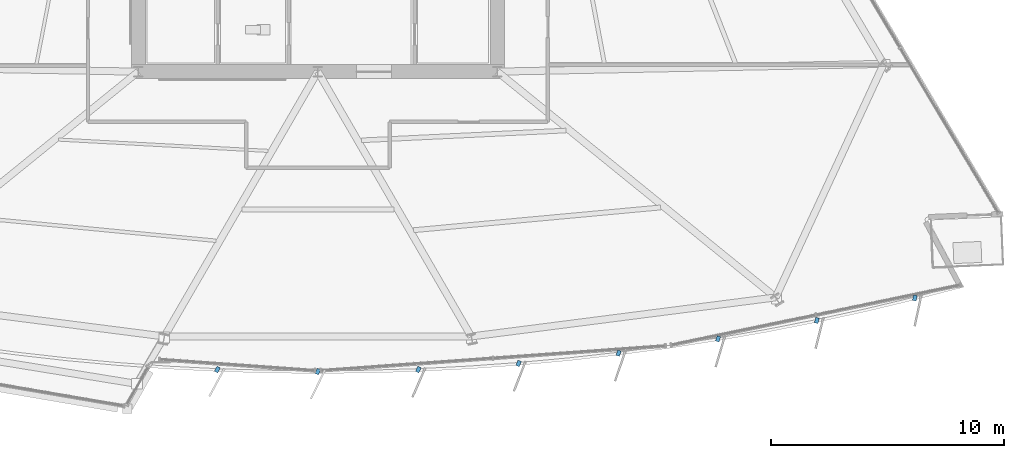
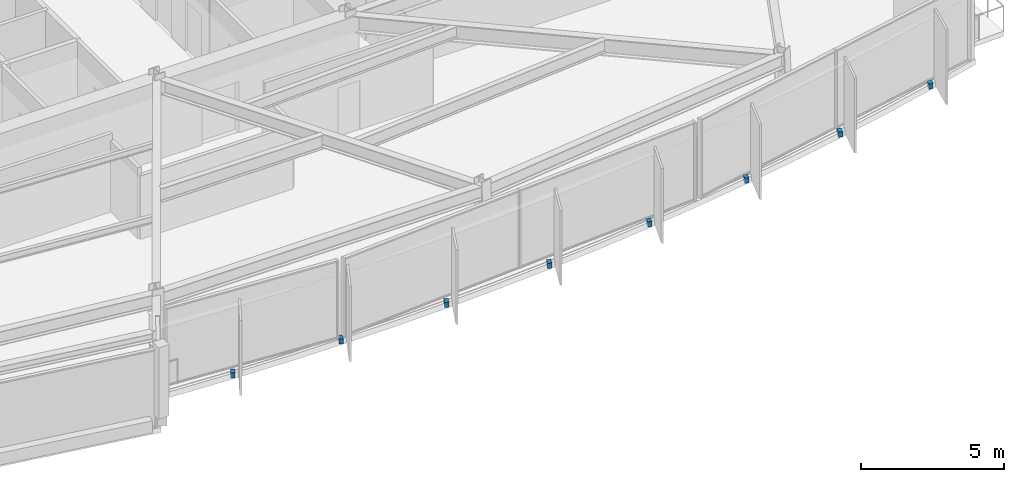
# One storey, part 12 of 17: 8 discrete accessories.
"""IFC4 building model written with IfcOpenShell, lengths in metres."""

from ifc_helpers import new_model, si_unit, direction, frame, origin, origin_2d, place, context, subcontext, project, spatial, rectangle, extrude, material, type_object, element, save


model = new_model("IFC4")

# Units and contexts
model_context = context("Model", 3, precision=1e-05, world=origin(), true_north=direction((0.0, 1.0)))
body_context = subcontext(model_context, "Body", "Model", "MODEL_VIEW")
ifc_project = project(units=[si_unit("LENGTHUNIT", "METRE"), si_unit("AREAUNIT", "SQUARE_METRE"), si_unit("VOLUMEUNIT", "CUBIC_METRE"), si_unit("PLANEANGLEUNIT", "RADIAN"), si_unit("MASSUNIT", "GRAM", prefix="KILO")], contexts=[model_context])

# Site, building, storey
site_placement = place(None, origin())
site = spatial("IfcSite", under=ifc_project, at=site_placement, CompositionType="ELEMENT")
building_placement = place(site_placement, origin())
building = spatial("IfcBuilding", under=site, at=building_placement, Name="Savorim Split Tower", CompositionType="ELEMENT")
storey_placement = place(building_placement, frame((0.0, 0.0, 58.800048828125)))
storey = spatial("IfcBuildingStorey", under=building, at=storey_placement, Name="L15", CompositionType="ELEMENT", Elevation=58.800048828125)

# Discrete accessories
ifc_material = material(Name="Steel S355", Category="steel")
discrete_accessory_type = type_object("IfcDiscreteAccessoryType", Name="ACC-BRK-FIN", PredefinedType="BRACKET", material=ifc_material)
for number, where, z_axis, x_axis, name in (
    (1, (-4.310546875, -22.18212890625, -0.18994140625), (0.0, 0.0, 1.0), (-0.474778051978, -0.880105562623, 0.0), "L15 Fin Slab-Edge Cleat Bracket 06"),
    (2, (0.0, -22.2705078125, -0.18994140625), (0.0, 0.0, 1.0), (-0.438371146789, -0.898794046299, 0.0), "L15 Fin Slab-Edge Cleat Bracket 07"),
    (3, (4.310546875, -22.18212890625, -0.18994140625), (0.0, 0.0, 1.0), (-0.401230091723, -0.915977299662, 0.0), "L15 Fin Slab-Edge Cleat Bracket 08"),
    (4, (8.614013671875, -21.917724609375, -0.18994140625), (0.0, 0.0, 1.0), (-0.363415461732, -0.931627179817, 0.0), "L15 Fin Slab-Edge Cleat Bracket 09"),
    (5, (12.903076171875, -21.477294921875, -0.18994140625), (0.0, 0.0, 1.0), (-0.324993810493, -0.945716143005, 0.0), "L15 Fin Slab-Edge Cleat Bracket 10"),
    (6, (17.17041015625, -20.86181640625, -0.18994140625), (0.0, 0.0, 1.0), (-0.286026212504, -0.958221793616, 0.0), "L15 Fin Slab-Edge Cleat Bracket 11"),
    (7, (21.408935546875, -20.072265625, -0.18994140625), (0.0, 0.0, 1.0), (-0.246581250663, -0.969122121727, 0.0), "L15 Fin Slab-Edge Cleat Bracket 12"),
    (8, (25.611572265625, -19.10986328125, -0.18994140625), (0.0, 0.0, 1.0), (-0.206721626106, -0.978399800337, 0.0), "L15 Fin Slab-Edge Cleat Bracket 13"),
):
    element("IfcDiscreteAccessory", number, at=place(storey_placement, frame(where, z_axis=z_axis, x_axis=x_axis)), inside=storey, type_object=discrete_accessory_type, Name=name, PredefinedType="BRACKET", context=body_context, shape_type="SweptSolid", body=[
        extrude(rectangle(XDim=0.239990234375, YDim=0.159912109375, at=origin_2d()), origin(), (0.0, 0.0, 1.0), 0.219970703125),
    ])

save(model, "model.ifc")
